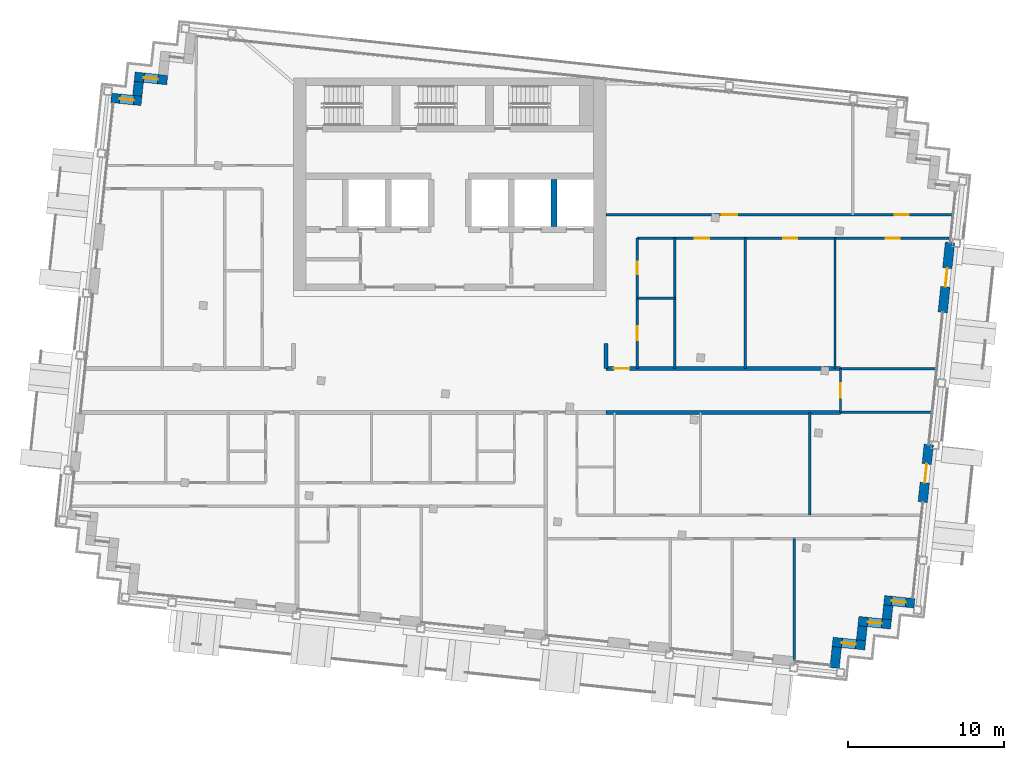
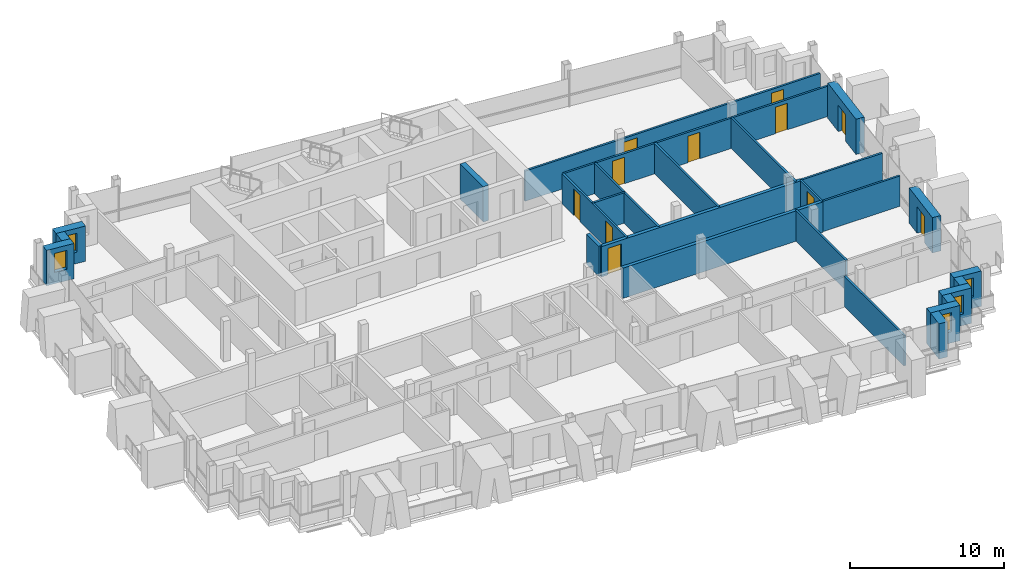
# One storey, part 11 of 16: 27 walls, 11 doors, 5 windows, 16 openings.
"""IFC4 building model written with IfcOpenShell, lengths in metres."""

from ifc_helpers import new_model, si_unit, direction, frame, frame_2d, origin, place, context, subcontext, project, spatial, rectangle, extrude, material, layer, layer_set, type_object, element, fill, save


model = new_model("IFC4")

# Units and contexts
model_context = context("Model", 3, precision=1e-05, world=origin(), true_north=direction((0.0, 1.0)))
body_context = subcontext(model_context, "Body", "Model", "MODEL_VIEW")
ifc_project = project(units=[si_unit("LENGTHUNIT", "METRE"), si_unit("AREAUNIT", "SQUARE_METRE"), si_unit("VOLUMEUNIT", "CUBIC_METRE"), si_unit("PLANEANGLEUNIT", "RADIAN"), si_unit("MASSUNIT", "GRAM", prefix="KILO")], contexts=[model_context])

# Site, building, storey
site_placement = place(None, origin())
site = spatial("IfcSite", under=ifc_project, at=site_placement, CompositionType="ELEMENT")
building_placement = place(site_placement, origin())
building = spatial("IfcBuilding", under=site, at=building_placement, Name="Vidyagriha Tower", CompositionType="ELEMENT")
storey_placement = place(building_placement, frame((0.0, 0.0, 278.699951171875)))
storey = spatial("IfcBuildingStorey", under=building, at=storey_placement, Name="L73", CompositionType="ELEMENT", Elevation=278.699951171875)

# Wall, opening, window
ifc_material_1 = material(Name="Precast concrete C40/50 with brick facing", Category="concrete")
ifc_layer_1 = layer(ifc_material_1, 0.60009765625)
ifc_layer_set_1 = layer_set([ifc_layer_1], Name="Precast concrete C40/50 with brick facing")
wall_type_1 = type_object("IfcWallType", Name="Brick-faced precast wall 600", PredefinedType="STANDARD", material=ifc_layer_set_1)
wall_1_placement = place(storey_placement, frame((-18.077392578125, 19.859130859375, 0.0), z_axis=(0.0, 0.0, 1.0), x_axis=(-0.994522640205, 0.104521376379, 0.0)))
wall_1 = element("IfcWall", 1, at=wall_1_placement, inside=storey, type_object=wall_type_1, Name="Stepped corner wall L73 R11", PredefinedType="STANDARD", context=body_context, shape_type="SweptSolid", body=[
    extrude(rectangle(XDim=2.099853515625, YDim=0.60009765625, at=frame_2d((1.0498046875, 0.0))), origin(), (0.0, 0.0, 1.0), 2.800048828125),
])
opening_1_placement = place(wall_1_placement, frame((0.60009765625, 0.0, 0.89990234375)))
opening_1 = element("IfcOpeningElement", 2, at=opening_1_placement, cuts=wall_1, Name="Opening WN1", PredefinedType="OPENING", context=body_context, shape_type="SweptSolid", body=[
    extrude(rectangle(XDim=0.89990234375, YDim=1.5, at=frame_2d((0.449951171875, 0.75))), frame((0.0, 0.31005859375, 0.0), z_axis=(0.0, -1.0, 0.0), x_axis=(1.0, 0.0, 0.0)), (0.0, 0.0, 1.0), 0.6201171875),
])
ifc_material_2 = material(Name="Aluminium and glass window", Category="aluminium")
window_type = type_object("IfcWindowType", Name="Reveal window 900x1500", PartitioningType="NOTDEFINED", PredefinedType="WINDOW", material=ifc_material_2)
window_1_placement = place(opening_1_placement, origin())
window_1 = element("IfcWindow", 3, at=window_1_placement, inside=storey, type_object=window_type, Name="Reveal window L73 R11", OverallHeight=1.5, OverallWidth=0.89990234375, PartitioningType="SINGLE_PANEL", PredefinedType="WINDOW", context=body_context, shape_type="SweptSolid", body=[
    extrude(rectangle(XDim=0.89990234375, YDim=1.5, at=frame_2d((0.449951171875, 0.75))), frame((0.0, 0.030029296875, 0.0), z_axis=(0.0, -1.0, 0.0), x_axis=(1.0, 0.0, 0.0)), (0.0, 0.0, 1.0), 0.06005859375),
])
fill(opening_1, window_1)

# Wall
wall_2_placement = place(storey_placement, frame((-19.898681640625, 19.748779296875, 0.0), z_axis=(0.0, 0.0, 1.0), x_axis=(-0.104741284723, -0.994499503909, 0.0)))
element("IfcWall", 4, at=wall_2_placement, inside=storey, type_object=wall_type_1, Name="Stepped corner wall L73 R12", PredefinedType="STANDARD", context=body_context, shape_type="SweptSolid", body=[
    extrude(rectangle(XDim=0.899658203125, YDim=0.60009765625, at=frame_2d((0.44970703125, 0.0))), origin(), (0.0, 0.0, 1.0), 2.800048828125),
])

# Wall, opening, window
wall_3_placement = place(storey_placement, frame((-19.725830078125, 18.5244140625, 0.0), z_axis=(0.0, 0.0, 1.0), x_axis=(-0.994534226826, 0.104411070641, 0.0)))
wall_3 = element("IfcWall", 5, at=wall_3_placement, inside=storey, type_object=wall_type_1, Name="Stepped corner wall L73 R13", PredefinedType="STANDARD", context=body_context, shape_type="SweptSolid", body=[
    extrude(rectangle(XDim=1.9501953125, YDim=0.60009765625, at=frame_2d((0.97509765625, 0.0))), origin(), (0.0, 0.0, 1.0), 2.800048828125),
])
opening_2_placement = place(wall_3_placement, frame((0.489990234375, 0.0, 0.89990234375)))
opening_2 = element("IfcOpeningElement", 6, at=opening_2_placement, cuts=wall_3, Name="Opening WN1", PredefinedType="OPENING", context=body_context, shape_type="SweptSolid", body=[
    extrude(rectangle(XDim=0.89990234375, YDim=1.5, at=frame_2d((0.449951171875, 0.75))), frame((0.0, 0.31005859375, 0.0), z_axis=(0.0, -1.0, 0.0), x_axis=(1.0, 0.0, 0.0)), (0.0, 0.0, 1.0), 0.6201171875),
])
window_2_placement = place(opening_2_placement, origin())
window_2 = element("IfcWindow", 7, at=window_2_placement, inside=storey, type_object=window_type, Name="Reveal window L73 R13", OverallHeight=1.5, OverallWidth=0.89990234375, PartitioningType="SINGLE_PANEL", PredefinedType="WINDOW", context=body_context, shape_type="SweptSolid", body=[
    extrude(rectangle(XDim=0.89990234375, YDim=1.5, at=frame_2d((0.449951171875, 0.75))), frame((0.0, 0.030029296875, 0.0), z_axis=(0.0, -1.0, 0.0), x_axis=(1.0, 0.0, 0.0)), (0.0, 0.0, 1.0), 0.06005859375),
])
fill(opening_2, window_2)

# Wall
wall_4_placement = place(storey_placement, frame((24.62451171875, -17.760498046875, 0.0), z_axis=(0.0, 0.0, 1.0), x_axis=(0.104355269718, 0.994540083497, 0.0)))
element("IfcWall", 8, at=wall_4_placement, inside=storey, type_object=wall_type_1, Name="Stepped corner wall L73 R22", PredefinedType="STANDARD", context=body_context, shape_type="SweptSolid", body=[
    extrude(rectangle(XDim=1.349853515625, YDim=0.60009765625, at=frame_2d((0.6748046875, 0.0))), origin(), (0.0, 0.0, 1.0), 2.800048828125),
])

# Wall, opening, window
wall_5_placement = place(storey_placement, frame((24.49853515625, -16.088134765625, 0.0), z_axis=(0.0, 0.0, 1.0), x_axis=(0.994522640205, -0.104521376379, 0.0)))
wall_5 = element("IfcWall", 9, at=wall_5_placement, inside=storey, type_object=wall_type_1, Name="Stepped corner wall L73 R23", PredefinedType="STANDARD", context=body_context, shape_type="SweptSolid", body=[
    extrude(rectangle(XDim=2.099853515625, YDim=0.60009765625, at=frame_2d((1.0498046875, 0.0))), origin(), (0.0, 0.0, 1.0), 2.800048828125),
])
opening_3_placement = place(wall_5_placement, frame((0.60009765625, 0.0, 0.89990234375)))
opening_3 = element("IfcOpeningElement", 10, at=opening_3_placement, cuts=wall_5, Name="Opening WN1", PredefinedType="OPENING", context=body_context, shape_type="SweptSolid", body=[
    extrude(rectangle(XDim=0.89990234375, YDim=1.5, at=frame_2d((0.449951171875, 0.75))), frame((0.0, 0.31005859375, 0.0), z_axis=(0.0, -1.0, 0.0), x_axis=(1.0, 0.0, 0.0)), (0.0, 0.0, 1.0), 0.6201171875),
])
window_3_placement = place(opening_3_placement, origin())
window_3 = element("IfcWindow", 11, at=window_3_placement, inside=storey, type_object=window_type, Name="Reveal window L73 R23", OverallHeight=1.5, OverallWidth=0.89990234375, PartitioningType="SINGLE_PANEL", PredefinedType="WINDOW", context=body_context, shape_type="SweptSolid", body=[
    extrude(rectangle(XDim=0.89990234375, YDim=1.5, at=frame_2d((0.449951171875, 0.75))), frame((0.0, 0.030029296875, 0.0), z_axis=(0.0, -1.0, 0.0), x_axis=(1.0, 0.0, 0.0)), (0.0, 0.0, 1.0), 0.06005859375),
])
fill(opening_3, window_3)

# Wall
wall_6_placement = place(storey_placement, frame((26.320068359375, -15.97802734375, 0.0), z_axis=(0.0, 0.0, 1.0), x_axis=(0.104444712852, 0.994530694326, 0.0)))
element("IfcWall", 12, at=wall_6_placement, inside=storey, type_object=wall_type_1, Name="Stepped corner wall L73 R24", PredefinedType="STANDARD", context=body_context, shape_type="SweptSolid", body=[
    extrude(rectangle(XDim=0.89990234375, YDim=0.60009765625, at=frame_2d((0.449951171875, 0.0))), origin(), (0.0, 0.0, 1.0), 2.800048828125),
])

# Wall, opening, window
wall_7_placement = place(storey_placement, frame((26.147216796875, -14.753173828125, 0.0), z_axis=(0.0, 0.0, 1.0), x_axis=(0.994522640205, -0.104521376379, 0.0)))
wall_7 = element("IfcWall", 13, at=wall_7_placement, inside=storey, type_object=wall_type_1, Name="Stepped corner wall L73 R25", PredefinedType="STANDARD", context=body_context, shape_type="SweptSolid", body=[
    extrude(rectangle(XDim=2.099853515625, YDim=0.60009765625, at=frame_2d((1.0498046875, 0.0))), origin(), (0.0, 0.0, 1.0), 2.800048828125),
])
opening_4_placement = place(wall_7_placement, frame((0.599853515625, 0.0, 0.89990234375)))
opening_4 = element("IfcOpeningElement", 14, at=opening_4_placement, cuts=wall_7, Name="Opening WN1", PredefinedType="OPENING", context=body_context, shape_type="SweptSolid", body=[
    extrude(rectangle(XDim=0.89990234375, YDim=1.5, at=frame_2d((0.449951171875, 0.75))), frame((0.0, 0.31005859375, 0.0), z_axis=(0.0, -1.0, 0.0), x_axis=(1.0, 0.0, 0.0)), (0.0, 0.0, 1.0), 0.6201171875),
])
window_4_placement = place(opening_4_placement, origin())
window_4 = element("IfcWindow", 15, at=window_4_placement, inside=storey, type_object=window_type, Name="Reveal window L73 R25", OverallHeight=1.5, OverallWidth=0.89990234375, PartitioningType="SINGLE_PANEL", PredefinedType="WINDOW", context=body_context, shape_type="SweptSolid", body=[
    extrude(rectangle(XDim=0.89990234375, YDim=1.5, at=frame_2d((0.449951171875, 0.75))), frame((0.0, 0.030029296875, 0.0), z_axis=(0.0, -1.0, 0.0), x_axis=(1.0, 0.0, 0.0)), (0.0, 0.0, 1.0), 0.06005859375),
])
fill(opening_4, window_4)

# Wall
wall_8_placement = place(storey_placement, frame((27.968505859375, -14.64306640625, 0.0), z_axis=(0.0, 0.0, 1.0), x_axis=(0.104416541099, 0.994533652495, 0.0)))
element("IfcWall", 16, at=wall_8_placement, inside=storey, type_object=wall_type_1, Name="Stepped corner wall L73 R26", PredefinedType="STANDARD", context=body_context, shape_type="SweptSolid", body=[
    extrude(rectangle(XDim=0.900146484375, YDim=0.60009765625, at=frame_2d((0.4501953125, 0.0))), origin(), (0.0, 0.0, 1.0), 2.800048828125),
])

# Wall, opening, window
wall_9_placement = place(storey_placement, frame((27.795654296875, -13.418212890625, 0.0), z_axis=(0.0, 0.0, 1.0), x_axis=(0.994519850893, -0.104547913319, 0.0)))
wall_9 = element("IfcWall", 17, at=wall_9_placement, inside=storey, type_object=wall_type_1, Name="Stepped corner wall L73 R27", PredefinedType="STANDARD", context=body_context, shape_type="SweptSolid", body=[
    extrude(rectangle(XDim=1.949951171875, YDim=0.60009765625, at=frame_2d((0.97509765625, 0.0))), origin(), (0.0, 0.0, 1.0), 2.800048828125),
])
opening_5_placement = place(wall_9_placement, frame((0.489990234375, 0.0, 0.89990234375)))
opening_5 = element("IfcOpeningElement", 18, at=opening_5_placement, cuts=wall_9, Name="Opening WN1", PredefinedType="OPENING", context=body_context, shape_type="SweptSolid", body=[
    extrude(rectangle(XDim=0.89990234375, YDim=1.5, at=frame_2d((0.449951171875, 0.75))), frame((0.0, 0.31005859375, 0.0), z_axis=(0.0, -1.0, 0.0), x_axis=(1.0, 0.0, 0.0)), (0.0, 0.0, 1.0), 0.6201171875),
])
window_5_placement = place(opening_5_placement, origin())
window_5 = element("IfcWindow", 19, at=window_5_placement, inside=storey, type_object=window_type, Name="Reveal window L73 R27", OverallHeight=1.5, OverallWidth=0.89990234375, PartitioningType="SINGLE_PANEL", PredefinedType="WINDOW", context=body_context, shape_type="SweptSolid", body=[
    extrude(rectangle(XDim=0.89990234375, YDim=1.5, at=frame_2d((0.449951171875, 0.75))), frame((0.0, 0.030029296875, 0.0), z_axis=(0.0, -1.0, 0.0), x_axis=(1.0, 0.0, 0.0)), (0.0, 0.0, 1.0), 0.06005859375),
])
fill(opening_5, window_5)

# Wall, opening, door
wall_10_placement = place(storey_placement, frame((30.26513671875, -7.14208984375, 0.0), z_axis=(0.0, 0.0, 1.0), x_axis=(0.104513052986, 0.994523514933, 0.0)))
wall_10 = element("IfcWall", 20, at=wall_10_placement, inside=storey, type_object=wall_type_1, Name="Brick door bay wall L73 R28.3", PredefinedType="STANDARD", context=body_context, shape_type="SweptSolid", body=[
    extrude(rectangle(XDim=3.7001953125, YDim=0.60009765625, at=frame_2d((1.85009765625, 0.0))), origin(), (0.0, 0.0, 1.0), 2.800048828125),
])
opening_6_placement = place(wall_10_placement, frame((1.25, 0.0, 0.0)))
opening_6 = element("IfcOpeningElement", 21, at=opening_6_placement, cuts=wall_10, Name="Opening D73-60", PredefinedType="OPENING", context=body_context, shape_type="SweptSolid", body=[
    extrude(rectangle(XDim=1.199951171875, YDim=2.10009765625, at=frame_2d((0.60009765625, 1.050048828125))), frame((0.0, 0.31005859375, 0.0), z_axis=(0.0, -1.0, 0.0), x_axis=(1.0, 0.0, 0.0)), (0.0, 0.0, 1.0), 0.6201171875),
])
ifc_material_3 = material(Name="Aluminium framed glazed sliding door", Category="aluminium")
door_type_1 = type_object("IfcDoorType", Name="Balcony sliding door 1200x2100", OperationType="NOTDEFINED", PredefinedType="DOOR", material=ifc_material_3)
door_1_placement = place(opening_6_placement, origin())
door_1 = element("IfcDoor", 22, at=door_1_placement, inside=storey, type_object=door_type_1, Name="Door D73-60", OperationType="SLIDING_TO_LEFT", OverallHeight=2.10009765625, OverallWidth=1.199951171875, PredefinedType="DOOR", context=body_context, shape_type="SweptSolid", body=[
    extrude(rectangle(XDim=1.199951171875, YDim=2.10009765625, at=frame_2d((0.60009765625, 1.050048828125))), frame((0.0, 0.02490234375, 0.0), z_axis=(0.0, -1.0, 0.0), x_axis=(1.0, 0.0, 0.0)), (0.0, 0.0, 1.0), 0.050048828125),
])
fill(opening_6, door_1)

wall_11_placement = place(storey_placement, frame((31.540283203125, 4.9912109375, 0.0), z_axis=(0.0, 0.0, 1.0), x_axis=(0.104546400045, 0.994520009974, 0.0)))
wall_11 = element("IfcWall", 23, at=wall_11_placement, inside=storey, type_object=wall_type_1, Name="Brick door bay wall L73 R28.6", PredefinedType="STANDARD", context=body_context, shape_type="SweptSolid", body=[
    extrude(rectangle(XDim=4.5, YDim=0.60009765625, at=frame_2d((2.25, 0.0))), origin(), (0.0, 0.0, 1.0), 2.800048828125),
])
opening_7_placement = place(wall_11_placement, frame((1.64990234375, 0.0, 0.0)))
opening_7 = element("IfcOpeningElement", 24, at=opening_7_placement, cuts=wall_11, Name="Opening D73-61", PredefinedType="OPENING", context=body_context, shape_type="SweptSolid", body=[
    extrude(rectangle(XDim=1.199951171875, YDim=2.10009765625, at=frame_2d((0.60009765625, 1.050048828125))), frame((0.0, 0.31005859375, 0.0), z_axis=(0.0, -1.0, 0.0), x_axis=(1.0, 0.0, 0.0)), (0.0, 0.0, 1.0), 0.6201171875),
])
door_2_placement = place(opening_7_placement, origin())
door_2 = element("IfcDoor", 25, at=door_2_placement, inside=storey, type_object=door_type_1, Name="Door D73-61", OperationType="SLIDING_TO_LEFT", OverallHeight=2.10009765625, OverallWidth=1.199951171875, PredefinedType="DOOR", context=body_context, shape_type="SweptSolid", body=[
    extrude(rectangle(XDim=1.199951171875, YDim=2.10009765625, at=frame_2d((0.60009765625, 1.050048828125))), frame((0.0, 0.02490234375, 0.0), z_axis=(0.0, -1.0, 0.0), x_axis=(1.0, 0.0, 0.0)), (0.0, 0.0, 1.0), 0.050048828125),
])
fill(opening_7, door_2)

# Walls
ifc_material_4 = material(Name="Concrete C60/75", Category="concrete")
ifc_layer_2 = layer(ifc_material_4, 0.39990234375)
ifc_layer_set_2 = layer_set([ifc_layer_2], Name="Concrete C60/75")
wall_type_2 = type_object("IfcWallType", Name="Core shear wall 400 mm", PredefinedType="SHEAR", material=ifc_layer_set_2)
wall_12_placement = place(storey_placement, frame((6.666748046875, 10.5, 0.0), z_axis=(0.0, 0.0, 1.0), x_axis=(0.0, 1.0, 0.0)))
element("IfcWall", 26, at=wall_12_placement, inside=storey, type_object=wall_type_2, Name="Core bay wall N6", PredefinedType="SHEAR", context=body_context, shape_type="SweptSolid", body=[
    extrude(rectangle(XDim=3.0, YDim=0.39990234375, at=frame_2d((1.5, 0.0))), origin(), (0.0, 0.0, 1.0), 2.800048828125),
])
ifc_material_5 = material(Name="Fired clay brick masonry", Category="masonry")
ifc_layer_3 = layer(ifc_material_5, 0.25)
ifc_layer_set_3 = layer_set([ifc_layer_3], Name="Fired clay brick masonry")
wall_type_3 = type_object("IfcWallType", Name="Fired clay brick corridor wall 250", PredefinedType="PARTITIONING", material=ifc_layer_set_3)
wall_13_placement = place(storey_placement, frame((25.0, -1.39990234375, 0.0), z_axis=(0.0, 0.0, 1.0), x_axis=(-1.0, 0.0, 0.0)))
element("IfcWall", 27, at=wall_13_placement, inside=storey, type_object=wall_type_3, Name="Wall all-L73-w057", PredefinedType="PARTITIONING", context=body_context, shape_type="SweptSolid", body=[
    extrude(rectangle(XDim=15.0, YDim=0.25, at=frame_2d((7.5, 0.0))), origin(), (0.0, 0.0, 1.0), 2.400146484375),
])

# Wall, opening, door
wall_14_placement = place(storey_placement, frame((10.0, 1.39990234375, 0.0)))
wall_14 = element("IfcWall", 28, at=wall_14_placement, inside=storey, type_object=wall_type_3, Name="Wall all-L73-w090", PredefinedType="PARTITIONING", context=body_context, shape_type="SweptSolid", body=[
    extrude(rectangle(XDim=15.0, YDim=0.25, at=frame_2d((7.5, 0.0))), origin(), (0.0, 0.0, 1.0), 2.400146484375),
])
opening_8_placement = place(wall_14_placement, frame((0.5, 0.0, 0.0)))
opening_8 = element("IfcOpeningElement", 29, at=opening_8_placement, cuts=wall_14, Name="Opening D73-51", PredefinedType="OPENING", context=body_context, shape_type="SweptSolid", body=[
    extrude(rectangle(XDim=1.0, YDim=2.10009765625, at=frame_2d((0.5, 1.050048828125))), frame((0.0, 0.135009765625, 0.0), z_axis=(0.0, -1.0, 0.0), x_axis=(1.0, 0.0, 0.0)), (0.0, 0.0, 1.0), 0.27001953125),
])
ifc_material_6 = material(Name="Fire-rated timber door leaf EI 60", Category="wood")
door_type_2 = type_object("IfcDoorType", Name="Flat entrance fire door 1000x2100", OperationType="NOTDEFINED", PredefinedType="DOOR", material=ifc_material_6)
door_3_placement = place(opening_8_placement, origin())
door_3 = element("IfcDoor", 30, at=door_3_placement, inside=storey, type_object=door_type_2, Name="Door D73-51", OperationType="SINGLE_SWING_LEFT", OverallHeight=2.10009765625, OverallWidth=1.0, PredefinedType="DOOR", context=body_context, shape_type="SweptSolid", body=[
    extrude(rectangle(XDim=1.0, YDim=2.10009765625, at=frame_2d((0.5, 1.050048828125))), frame((0.0, 0.02490234375, 0.0), z_axis=(0.0, -1.0, 0.0), x_axis=(1.0, 0.0, 0.0)), (0.0, 0.0, 1.0), 0.050048828125),
])
fill(opening_8, door_3)

# Walls
wall_15_placement = place(storey_placement, frame((10.0, 1.39990234375, 0.0), z_axis=(0.0, 0.0, 1.0), x_axis=(0.0, 1.0, 0.0)))
element("IfcWall", 31, at=wall_15_placement, inside=storey, type_object=wall_type_3, Name="Wall all-L73-w096", PredefinedType="PARTITIONING", context=body_context, shape_type="SweptSolid", body=[
    extrude(rectangle(XDim=1.60009765625, YDim=0.25, at=frame_2d((0.800048828125, 0.0))), origin(), (0.0, 0.0, 1.0), 2.400146484375),
])
ifc_material_7 = material(Name="Gypsum board partition")
ifc_layer_4 = layer(ifc_material_7, 0.14990234375)
ifc_layer_set_4 = layer_set([ifc_layer_4], Name="Gypsum board partition")
wall_type_4 = type_object("IfcWallType", Name="Gypsum board partition 150", PredefinedType="PARTITIONING", material=ifc_layer_set_4)
wall_16_placement = place(storey_placement, frame((23.0419921875, -1.39990234375, 0.0), z_axis=(0.0, 0.0, 1.0), x_axis=(0.0, -1.0, 0.0)))
element("IfcWall", 32, at=wall_16_placement, inside=storey, type_object=wall_type_4, Name="Wall all-L73-w041", PredefinedType="PARTITIONING", context=body_context, shape_type="SweptSolid", body=[
    extrude(rectangle(XDim=6.581787109375, YDim=0.14990234375, at=frame_2d((3.291015625, 0.0))), origin(), (0.0, 0.0, 1.0), 2.400146484375),
])
wall_17_placement = place(storey_placement, frame((22.05419921875, -9.481689453125, 0.0), z_axis=(0.0, 0.0, 1.0), x_axis=(0.0, -1.0, 0.0)))
element("IfcWall", 33, at=wall_17_placement, inside=storey, type_object=wall_type_4, Name="Wall all-L73-w053", PredefinedType="PARTITIONING", context=body_context, shape_type="SweptSolid", body=[
    extrude(rectangle(XDim=7.767333984375, YDim=0.14990234375, at=frame_2d((3.8837890625, 0.0))), origin(), (0.0, 0.0, 1.0), 2.400146484375),
])
wall_18_placement = place(storey_placement, frame((30.79833984375, -1.39990234375, 0.0), z_axis=(0.0, 0.0, 1.0), x_axis=(-1.0, 0.0, 0.0)))
element("IfcWall", 34, at=wall_18_placement, inside=storey, type_object=wall_type_4, Name="Wall all-L73-w058", PredefinedType="PARTITIONING", context=body_context, shape_type="SweptSolid", body=[
    extrude(rectangle(XDim=5.79833984375, YDim=0.14990234375, at=frame_2d((2.899169921875, 0.0))), origin(), (0.0, 0.0, 1.0), 2.400146484375),
])
wall_19_placement = place(storey_placement, frame((12.0, 5.89990234375, 0.0)))
element("IfcWall", 35, at=wall_19_placement, inside=storey, type_object=wall_type_4, Name="Wall all-L73-w077", PredefinedType="PARTITIONING", context=body_context, shape_type="SweptSolid", body=[
    extrude(rectangle(XDim=2.39990234375, YDim=0.14990234375, at=frame_2d((1.199951171875, 0.0))), origin(), (0.0, 0.0, 1.0), 2.400146484375),
])
for number, where, z_axis, x_axis, name in (
    (36, (14.39990234375, 9.743408203125, 0.0), (0.0, 0.0, 1.0), (0.0, -1.0, 0.0), "Wall all-L73-w078"),
    (37, (18.89990234375, 9.743408203125, 0.0), (0.0, 0.0, 1.0), (0.0, -1.0, 0.0), "Wall all-L73-w079"),
    (38, (24.64990234375, 9.743408203125, 0.0), (0.0, 0.0, 1.0), (0.0, -1.0, 0.0), "Wall all-L73-w080"),
):
    element("IfcWall", number, at=place(storey_placement, frame(where, z_axis=z_axis, x_axis=x_axis)), inside=storey, type_object=wall_type_4, Name=name, PredefinedType="PARTITIONING", context=body_context, shape_type="SweptSolid", body=[
        extrude(rectangle(XDim=8.343505859375, YDim=0.14990234375, at=frame_2d((4.171875, 0.0))), origin(), (0.0, 0.0, 1.0), 2.400146484375),
    ])

# Wall, openings, doors
wall_20_placement = place(storey_placement, frame((31.96044921875, 9.743408203125, 0.0), z_axis=(0.0, 0.0, 1.0), x_axis=(-1.0, 0.0, 0.0)))
wall_20 = element("IfcWall", 39, at=wall_20_placement, inside=storey, type_object=wall_type_4, Name="Wall all-L73-w081", PredefinedType="PARTITIONING", context=body_context, shape_type="SweptSolid", body=[
    extrude(rectangle(XDim=19.96044921875, YDim=0.14990234375, at=frame_2d((9.980224609375, 0.0))), origin(), (0.0, 0.0, 1.0), 2.400146484375),
])
opening_9_placement = place(wall_20_placement, frame((15.371826171875, 0.0, 0.0)))
opening_9 = element("IfcOpeningElement", 40, at=opening_9_placement, cuts=wall_20, Name="Opening D73-46", PredefinedType="OPENING", context=body_context, shape_type="SweptSolid", body=[
    extrude(rectangle(XDim=0.89990234375, YDim=2.10009765625, at=frame_2d((0.449951171875, 1.050048828125))), frame((0.0, 0.0849609375, 0.0), z_axis=(0.0, -1.0, 0.0), x_axis=(1.0, 0.0, 0.0)), (0.0, 0.0, 1.0), 0.169921875),
])
opening_10_placement = place(wall_20_placement, frame((9.7353515625, 0.0, 0.0)))
opening_10 = element("IfcOpeningElement", 41, at=opening_10_placement, cuts=wall_20, Name="Opening D73-47", PredefinedType="OPENING", context=body_context, shape_type="SweptSolid", body=[
    extrude(rectangle(XDim=0.89990234375, YDim=2.10009765625, at=frame_2d((0.449951171875, 1.050048828125))), frame((0.0, 0.0849609375, 0.0), z_axis=(0.0, -1.0, 0.0), x_axis=(1.0, 0.0, 0.0)), (0.0, 0.0, 1.0), 0.169921875),
])
opening_11_placement = place(wall_20_placement, frame((3.156982421875, 0.0, 0.0)))
opening_11 = element("IfcOpeningElement", 42, at=opening_11_placement, cuts=wall_20, Name="Opening D73-48", PredefinedType="OPENING", context=body_context, shape_type="SweptSolid", body=[
    extrude(rectangle(XDim=0.89990234375, YDim=2.10009765625, at=frame_2d((0.449951171875, 1.050048828125))), frame((0.0, 0.0849609375, 0.0), z_axis=(0.0, -1.0, 0.0), x_axis=(1.0, 0.0, 0.0)), (0.0, 0.0, 1.0), 0.169921875),
])
ifc_material_8 = material(Name="Timber door leaf", Category="wood")
door_type_3 = type_object("IfcDoorType", Name="Room door 900x2100", OperationType="NOTDEFINED", PredefinedType="DOOR", material=ifc_material_8)
door_4_placement = place(opening_9_placement, origin())
door_4 = element("IfcDoor", 43, at=door_4_placement, inside=storey, type_object=door_type_3, Name="Door D73-46", OperationType="SINGLE_SWING_RIGHT", OverallHeight=2.10009765625, OverallWidth=0.89990234375, PredefinedType="DOOR", context=body_context, shape_type="SweptSolid", body=[
    extrude(rectangle(XDim=0.89990234375, YDim=2.10009765625, at=frame_2d((0.449951171875, 1.050048828125))), frame((0.0, 0.02490234375, 0.0), z_axis=(0.0, -1.0, 0.0), x_axis=(1.0, 0.0, 0.0)), (0.0, 0.0, 1.0), 0.050048828125),
])
fill(opening_9, door_4)
door_5_placement = place(opening_10_placement, origin())
door_5 = element("IfcDoor", 44, at=door_5_placement, inside=storey, type_object=door_type_3, Name="Door D73-47", OperationType="SINGLE_SWING_RIGHT", OverallHeight=2.10009765625, OverallWidth=0.89990234375, PredefinedType="DOOR", context=body_context, shape_type="SweptSolid", body=[
    extrude(rectangle(XDim=0.89990234375, YDim=2.10009765625, at=frame_2d((0.449951171875, 1.050048828125))), frame((0.0, 0.02490234375, 0.0), z_axis=(0.0, -1.0, 0.0), x_axis=(1.0, 0.0, 0.0)), (0.0, 0.0, 1.0), 0.050048828125),
])
fill(opening_10, door_5)
door_6_placement = place(opening_11_placement, origin())
door_6 = element("IfcDoor", 45, at=door_6_placement, inside=storey, type_object=door_type_3, Name="Door D73-48", OperationType="SINGLE_SWING_LEFT", OverallHeight=2.10009765625, OverallWidth=0.89990234375, PredefinedType="DOOR", context=body_context, shape_type="SweptSolid", body=[
    extrude(rectangle(XDim=0.89990234375, YDim=2.10009765625, at=frame_2d((0.449951171875, 1.050048828125))), frame((0.0, 0.02490234375, 0.0), z_axis=(0.0, -1.0, 0.0), x_axis=(1.0, 0.0, 0.0)), (0.0, 0.0, 1.0), 0.050048828125),
])
fill(opening_11, door_6)

wall_21_placement = place(storey_placement, frame((10.0, 11.243408203125, 0.0)))
wall_21 = element("IfcWall", 46, at=wall_21_placement, inside=storey, type_object=wall_type_4, Name="Wall all-L73-w085", PredefinedType="PARTITIONING", context=body_context, shape_type="SweptSolid", body=[
    extrude(rectangle(XDim=22.1181640625, YDim=0.14990234375, at=frame_2d((11.05908203125, 0.0))), origin(), (0.0, 0.0, 1.0), 2.400146484375),
])
opening_12_placement = place(wall_21_placement, frame((7.3984375, 0.0, 0.0)))
opening_12 = element("IfcOpeningElement", 47, at=opening_12_placement, cuts=wall_21, Name="Opening D73-49", PredefinedType="OPENING", context=body_context, shape_type="SweptSolid", body=[
    extrude(rectangle(XDim=1.0, YDim=2.10009765625, at=frame_2d((0.5, 1.050048828125))), frame((0.0, 0.0849609375, 0.0), z_axis=(0.0, -1.0, 0.0), x_axis=(1.0, 0.0, 0.0)), (0.0, 0.0, 1.0), 0.169921875),
])
opening_13_placement = place(wall_21_placement, frame((18.476806640625, 0.0, 0.0)))
opening_13 = element("IfcOpeningElement", 48, at=opening_13_placement, cuts=wall_21, Name="Opening D73-50", PredefinedType="OPENING", context=body_context, shape_type="SweptSolid", body=[
    extrude(rectangle(XDim=0.89990234375, YDim=2.10009765625, at=frame_2d((0.449951171875, 1.050048828125))), frame((0.0, 0.0849609375, 0.0), z_axis=(0.0, -1.0, 0.0), x_axis=(1.0, 0.0, 0.0)), (0.0, 0.0, 1.0), 0.169921875),
])
ifc_material_9 = material(Name="Timber door leaf", Category="wood")
door_type_4 = type_object("IfcDoorType", Name="Room door 1000x2100", OperationType="NOTDEFINED", PredefinedType="DOOR", material=ifc_material_9)
door_7_placement = place(opening_12_placement, origin())
door_7 = element("IfcDoor", 49, at=door_7_placement, inside=storey, type_object=door_type_4, Name="Door D73-49", OperationType="SINGLE_SWING_RIGHT", OverallHeight=2.10009765625, OverallWidth=1.0, PredefinedType="DOOR", context=body_context, shape_type="SweptSolid", body=[
    extrude(rectangle(XDim=1.0, YDim=2.10009765625, at=frame_2d((0.5, 1.050048828125))), frame((0.0, 0.02490234375, 0.0), z_axis=(0.0, -1.0, 0.0), x_axis=(1.0, 0.0, 0.0)), (0.0, 0.0, 1.0), 0.050048828125),
])
fill(opening_12, door_7)
door_8_placement = place(opening_13_placement, origin())
door_8 = element("IfcDoor", 50, at=door_8_placement, inside=storey, type_object=door_type_3, Name="Door D73-50", OperationType="SINGLE_SWING_RIGHT", OverallHeight=2.10009765625, OverallWidth=0.89990234375, PredefinedType="DOOR", context=body_context, shape_type="SweptSolid", body=[
    extrude(rectangle(XDim=0.89990234375, YDim=2.10009765625, at=frame_2d((0.449951171875, 1.050048828125))), frame((0.0, 0.02490234375, 0.0), z_axis=(0.0, -1.0, 0.0), x_axis=(1.0, 0.0, 0.0)), (0.0, 0.0, 1.0), 0.050048828125),
])
fill(opening_13, door_8)

# Wall
wall_22_placement = place(storey_placement, frame((25.0, 1.39990234375, 0.0)))
element("IfcWall", 51, at=wall_22_placement, inside=storey, type_object=wall_type_4, Name="Wall all-L73-w091", PredefinedType="PARTITIONING", context=body_context, shape_type="SweptSolid", body=[
    extrude(rectangle(XDim=6.092529296875, YDim=0.14990234375, at=frame_2d((3.04638671875, 0.0))), origin(), (0.0, 0.0, 1.0), 2.400146484375),
])

# Wall, opening, door
wall_23_placement = place(storey_placement, frame((25.0, -1.39990234375, 0.0), z_axis=(0.0, 0.0, 1.0), x_axis=(0.0, 1.0, 0.0)))
wall_23 = element("IfcWall", 52, at=wall_23_placement, inside=storey, type_object=wall_type_4, Name="Wall all-L73-w092", PredefinedType="PARTITIONING", context=body_context, shape_type="SweptSolid", body=[
    extrude(rectangle(XDim=2.7998046875, YDim=0.14990234375, at=frame_2d((1.39990234375, 0.0))), origin(), (0.0, 0.0, 1.0), 2.400146484375),
])
opening_14_placement = place(wall_23_placement, frame((0.949951171875, 0.0, 0.0)))
opening_14 = element("IfcOpeningElement", 53, at=opening_14_placement, cuts=wall_23, Name="Opening D73-52", PredefinedType="OPENING", context=body_context, shape_type="SweptSolid", body=[
    extrude(rectangle(XDim=0.89990234375, YDim=2.10009765625, at=frame_2d((0.449951171875, 1.050048828125))), frame((0.0, 0.0849609375, 0.0), z_axis=(0.0, -1.0, 0.0), x_axis=(1.0, 0.0, 0.0)), (0.0, 0.0, 1.0), 0.169921875),
])
door_9_placement = place(opening_14_placement, origin())
door_9 = element("IfcDoor", 54, at=door_9_placement, inside=storey, type_object=door_type_3, Name="Door D73-52", OperationType="SINGLE_SWING_RIGHT", OverallHeight=2.10009765625, OverallWidth=0.89990234375, PredefinedType="DOOR", context=body_context, shape_type="SweptSolid", body=[
    extrude(rectangle(XDim=0.89990234375, YDim=2.10009765625, at=frame_2d((0.449951171875, 1.050048828125))), frame((0.0, 0.02490234375, 0.0), z_axis=(0.0, -1.0, 0.0), x_axis=(1.0, 0.0, 0.0)), (0.0, 0.0, 1.0), 0.050048828125),
])
fill(opening_14, door_9)

# Wall, openings, doors
ifc_material_10 = material(Name="Moisture resistant gypsum board partition")
ifc_layer_5 = layer(ifc_material_10, 0.14990234375)
ifc_layer_set_5 = layer_set([ifc_layer_5], Name="Moisture resistant gypsum board partition")
wall_type_5 = type_object("IfcWallType", Name="Gypsum board wet-area partition 150", PredefinedType="PARTITIONING", material=ifc_layer_set_5)
wall_24_placement = place(storey_placement, frame((12.0, 9.743408203125, 0.0), z_axis=(0.0, 0.0, 1.0), x_axis=(0.0, -1.0, 0.0)))
wall_24 = element("IfcWall", 55, at=wall_24_placement, inside=storey, type_object=wall_type_5, Name="Wall all-L73-w074", PredefinedType="PARTITIONING", context=body_context, shape_type="SweptSolid", body=[
    extrude(rectangle(XDim=8.343505859375, YDim=0.14990234375, at=frame_2d((4.171875, 0.0))), origin(), (0.0, 0.0, 1.0), 2.400146484375),
])
opening_15_placement = place(wall_24_placement, frame((5.643310546875, 0.0, 0.0)))
opening_15 = element("IfcOpeningElement", 56, at=opening_15_placement, cuts=wall_24, Name="Opening D73-44", PredefinedType="OPENING", context=body_context, shape_type="SweptSolid", body=[
    extrude(rectangle(XDim=0.89990234375, YDim=2.10009765625, at=frame_2d((0.449951171875, 1.050048828125))), frame((0.0, 0.0849609375, 0.0), z_axis=(0.0, -1.0, 0.0), x_axis=(1.0, 0.0, 0.0)), (0.0, 0.0, 1.0), 0.169921875),
])
opening_16_placement = place(wall_24_placement, frame((1.521728515625, 0.0, 0.0)))
opening_16 = element("IfcOpeningElement", 57, at=opening_16_placement, cuts=wall_24, Name="Opening D73-45", PredefinedType="OPENING", context=body_context, shape_type="SweptSolid", body=[
    extrude(rectangle(XDim=0.800048828125, YDim=2.10009765625, at=frame_2d((0.39990234375, 1.050048828125))), frame((0.0, 0.0849609375, 0.0), z_axis=(0.0, -1.0, 0.0), x_axis=(1.0, 0.0, 0.0)), (0.0, 0.0, 1.0), 0.169921875),
])
ifc_material_11 = material(Name="Timber door leaf", Category="wood")
door_type_5 = type_object("IfcDoorType", Name="Bathroom door 800x2100", OperationType="NOTDEFINED", PredefinedType="DOOR", material=ifc_material_11)
door_10_placement = place(opening_16_placement, origin())
door_10 = element("IfcDoor", 58, at=door_10_placement, inside=storey, type_object=door_type_5, Name="Door D73-45", OperationType="SINGLE_SWING_RIGHT", OverallHeight=2.10009765625, OverallWidth=0.800048828125, PredefinedType="DOOR", context=body_context, shape_type="SweptSolid", body=[
    extrude(rectangle(XDim=0.800048828125, YDim=2.10009765625, at=frame_2d((0.39990234375, 1.050048828125))), frame((0.0, 0.02490234375, 0.0), z_axis=(0.0, -1.0, 0.0), x_axis=(1.0, 0.0, 0.0)), (0.0, 0.0, 1.0), 0.050048828125),
])
fill(opening_16, door_10)
ifc_material_12 = material(Name="Timber door leaf", Category="wood")
door_type_6 = type_object("IfcDoorType", Name="Kitchen door 900x2100", OperationType="NOTDEFINED", PredefinedType="DOOR", material=ifc_material_12)
door_11_placement = place(opening_15_placement, origin())
door_11 = element("IfcDoor", 59, at=door_11_placement, inside=storey, type_object=door_type_6, Name="Door D73-44", OperationType="SINGLE_SWING_LEFT", OverallHeight=2.10009765625, OverallWidth=0.89990234375, PredefinedType="DOOR", context=body_context, shape_type="SweptSolid", body=[
    extrude(rectangle(XDim=0.89990234375, YDim=2.10009765625, at=frame_2d((0.449951171875, 1.050048828125))), frame((0.0, 0.02490234375, 0.0), z_axis=(0.0, -1.0, 0.0), x_axis=(1.0, 0.0, 0.0)), (0.0, 0.0, 1.0), 0.050048828125),
])
fill(opening_15, door_11)

save(model, "model.ifc")
